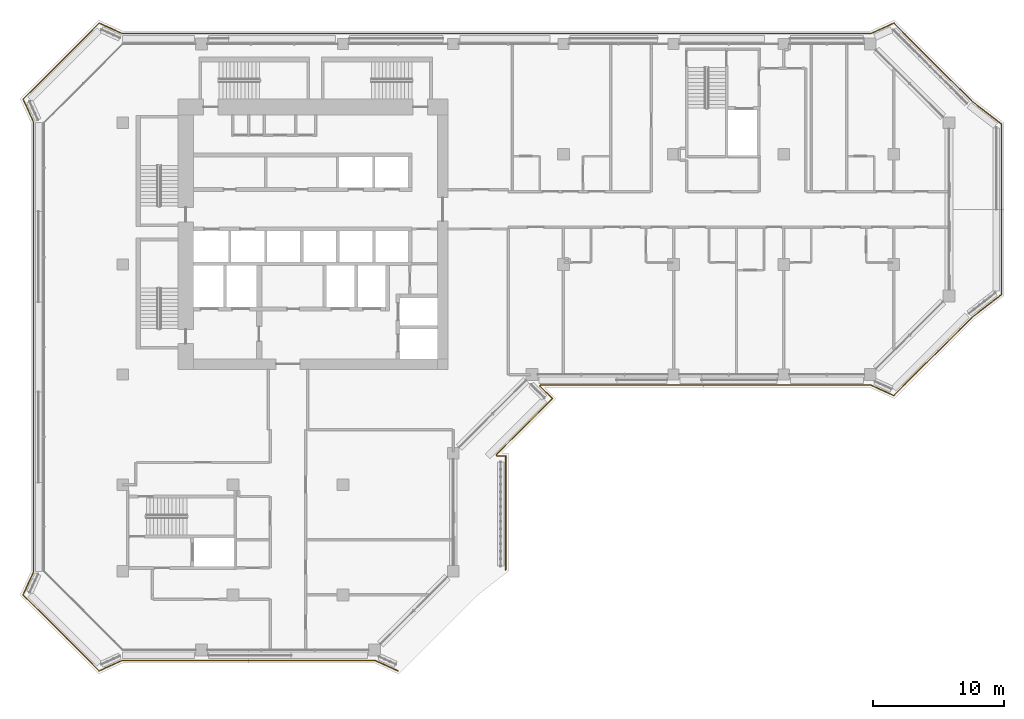
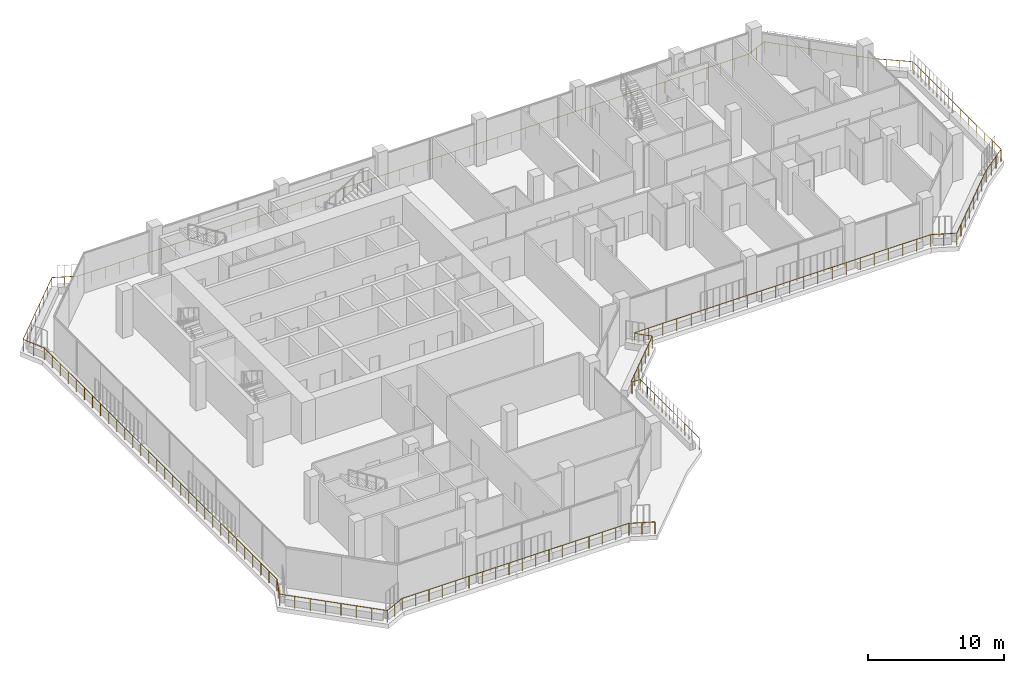
# One storey, part 19 of 23: 1 railing.
"""IFC4 building model written with IfcOpenShell, lengths in metres."""

from ifc_helpers import new_model, si_unit, direction, frame, origin, origin_2d, place, context, subcontext, project, spatial, circle, extrude, material, type_object, element, save


model = new_model("IFC4")

# Units and contexts
model_context = context("Model", 3, precision=1e-05, world=origin(), true_north=direction((0.0, 1.0)))
body_context = subcontext(model_context, "Body", "Model", "MODEL_VIEW")
ifc_project = project(units=[si_unit("LENGTHUNIT", "METRE"), si_unit("AREAUNIT", "SQUARE_METRE"), si_unit("VOLUMEUNIT", "CUBIC_METRE"), si_unit("PLANEANGLEUNIT", "RADIAN"), si_unit("MASSUNIT", "GRAM", prefix="KILO")], contexts=[model_context])

# Site, building, storey
site_placement = place(None, origin())
site = spatial("IfcSite", under=ifc_project, at=site_placement, CompositionType="ELEMENT")
building_placement = place(site_placement, origin())
building = spatial("IfcBuilding", under=site, at=building_placement, Name="Kawkab Arch Medical Tower", CompositionType="ELEMENT")
storey_placement = place(building_placement, frame((0.0, 0.0, 268.39990234375)))
storey = spatial("IfcBuildingStorey", under=building, at=storey_placement, Name="L62", CompositionType="ELEMENT", Elevation=268.39990234375)

# Railing
ifc_material = material(Name="Bronze anodised aluminium guard", Category="aluminium")
railing_type = type_object("IfcRailingType", Name="Loggia and terrace guard 1100", PredefinedType="GUARDRAIL", material=ifc_material)
railing_placement = place(storey_placement, frame((20.9951171875, -47.798095703125, 0.0)))
element("IfcRailing", 1, at=railing_placement, inside=storey, type_object=railing_type, Name="Guard L62.LOG-01.1.1", PredefinedType="GUARDRAIL", context=body_context, shape_type="SweptSolid", body=[
    extrude(circle(Radius=0.02392578125, at=origin_2d()), frame((0.0, 0.0, 1.076171875), z_axis=(-0.910044860056, 0.414509773934, 0.0), x_axis=(-0.414509773934, -0.910044860056, 0.0)), (0.0, 0.0, 1.0), 1.92529296875),
    extrude(circle(Radius=0.02392578125, at=origin_2d()), frame((-1.752197265625, 0.798095703125, 1.076171875), z_axis=(-1.0, 0.0, 0.0), x_axis=(0.0, -1.0, 0.0)), (0.0, 0.0, 1.0), 19.285888671875),
    extrude(circle(Radius=0.02392578125, at=origin_2d()), frame((-21.0380859375, 0.798095703125, 1.076171875), z_axis=(-0.910023069687, -0.414557610759, 0.0), x_axis=(0.414557610759, -0.910023069687, 0.0)), (0.0, 0.0, 1.0), 1.92529296875),
    extrude(circle(Radius=0.02392578125, at=origin_2d()), frame((-22.7900390625, 0.0, 1.076171875), z_axis=(-0.707106781187, 0.707106781187, 0.0), x_axis=(-0.707106781187, -0.707106781187, 0.0)), (0.0, 0.0, 1.0), 8.20654296875),
    extrude(circle(Radius=0.02392578125, at=origin_2d()), frame((-28.593017578125, 5.802978515625, 1.076171875), z_axis=(0.414404752076, 0.910092688388, 0.0), x_axis=(-0.910092688388, 0.414404752076, 0.0)), (0.0, 0.0, 1.0), 1.92529296875),
    extrude(circle(Radius=0.02392578125, at=origin_2d()), frame((-27.795166015625, 7.55517578125, 1.076171875), z_axis=(0.0, 1.0, 0.0), x_axis=(-1.0, 0.0, 0.0)), (0.0, 0.0, 1.0), 34.285888671875),
    extrude(circle(Radius=0.02392578125, at=origin_2d()), frame((-27.795166015625, 41.841064453125, 1.076171875), z_axis=(-0.414452581809, 0.910070907914, 0.0), x_axis=(-0.910070907914, -0.414452581809, 0.0)), (0.0, 0.0, 1.0), 1.925048828125),
    extrude(circle(Radius=0.02392578125, at=origin_2d()), frame((-28.593017578125, 43.593017578125, 1.076171875), z_axis=(0.707106781187, 0.707106781187, 0.0), x_axis=(-0.707106781187, 0.707106781187, 0.0)), (0.0, 0.0, 1.0), 8.20654296875),
    extrude(circle(Radius=0.02392578125, at=origin_2d()), frame((-22.7900390625, 49.39599609375, 1.076171875), z_axis=(0.910070907914, -0.414452581809, 0.0), x_axis=(0.414452581809, 0.910070907914, 0.0)), (0.0, 0.0, 1.0), 1.925048828125),
    extrude(circle(Radius=0.02392578125, at=origin_2d()), frame((-21.0380859375, 48.59814453125, 1.076171875), z_axis=(1.0, 0.0, 0.0), x_axis=(0.0, 1.0, 0.0)), (0.0, 0.0, 1.0), 57.0859375),
    extrude(circle(Radius=0.02392578125, at=origin_2d()), frame((36.0478515625, 48.59814453125, 1.076171875), z_axis=(0.910070907914, 0.414452581809, 0.0), x_axis=(-0.414452581809, 0.910070907914, 0.0)), (0.0, 0.0, 1.0), 1.925048828125),
    extrude(circle(Radius=0.02392578125, at=origin_2d()), frame((37.7998046875, 49.39599609375, 1.076171875), z_axis=(0.707121386154, -0.707092175918, 0.0), x_axis=(0.707092175918, 0.707121386154, 0.0)), (0.0, 0.0, 1.0), 8.358154296875),
    extrude(circle(Radius=0.02392578125, at=origin_2d()), frame((43.7099609375, 43.486083984375, 1.076171875), z_axis=(0.789193964876, -0.614144026922, 0.0), x_axis=(0.614144026922, 0.789193964876, 0.0)), (0.0, 0.0, 1.0), 2.907958984375),
    extrude(circle(Radius=0.02392578125, at=origin_2d()), frame((46.0048828125, 41.7001953125, 1.076171875), z_axis=(0.0, -1.0, 0.0), x_axis=(1.0, 0.0, 0.0)), (0.0, 0.0, 1.0), 13.004150390625),
    extrude(circle(Radius=0.02392578125, at=origin_2d()), frame((46.0048828125, 28.696044921875, 1.076171875), z_axis=(-0.789193964876, -0.614144026922, 0.0), x_axis=(0.614144026922, -0.789193964876, 0.0)), (0.0, 0.0, 1.0), 2.907958984375),
    extrude(circle(Radius=0.02392578125, at=origin_2d()), frame((43.7099609375, 26.91015625, 1.076171875), z_axis=(-0.707106781187, -0.707106781187, 0.0), x_axis=(0.707106781187, -0.707106781187, 0.0)), (0.0, 0.0, 1.0), 8.358154296875),
    extrude(circle(Radius=0.02392578125, at=origin_2d()), frame((37.7998046875, 21.0, 1.076171875), z_axis=(-0.910023069687, 0.414557610759, 0.0), x_axis=(-0.414557610759, -0.910023069687, 0.0)), (0.0, 0.0, 1.0), 1.92529296875),
    extrude(circle(Radius=0.02392578125, at=origin_2d()), frame((36.0478515625, 21.798095703125, 1.076171875), z_axis=(-1.0, 0.0, 0.0), x_axis=(0.0, -1.0, 0.0)), (0.0, 0.0, 1.0), 25.19287109375),
    extrude(circle(Radius=0.02392578125, at=origin_2d()), frame((10.85498046875, 21.798095703125, 1.076171875), z_axis=(-0.383763674343, -0.923431341387, 0.0), x_axis=(0.923431341387, -0.383763674343, 0.0)), (0.0, 0.0, 1.0), 0.101806640625),
    extrude(circle(Radius=0.02392578125, at=origin_2d()), frame((10.81591796875, 21.7041015625, 1.076171875), z_axis=(0.707015335112, -0.707198215437, 0.0), x_axis=(0.707198215437, 0.707015335112, 0.0)), (0.0, 0.0, 1.0), 1.3349609375),
    extrude(circle(Radius=0.02392578125, at=origin_2d()), frame((11.759765625, 20.760009765625, 1.076171875), z_axis=(-0.707025867263, -0.707187685852, 0.0), x_axis=(0.707187685852, -0.707025867263, 0.0)), (0.0, 0.0, 1.0), 6.034912109375),
    extrude(circle(Radius=0.02392578125, at=origin_2d()), frame((7.492919921875, 16.4921875, 1.076171875), z_axis=(0.383763674343, -0.923431341387, 0.0), x_axis=(0.923431341387, 0.383763674343, 0.0)), (0.0, 0.0, 1.0), 0.101806640625),
    extrude(circle(Radius=0.02392578125, at=origin_2d()), frame((7.531982421875, 16.398193359375, 1.076171875), z_axis=(1.0, 0.0, 0.0), x_axis=(0.0, 1.0, 0.0)), (0.0, 0.0, 1.0), 0.6728515625),
    extrude(circle(Radius=0.02392578125, at=origin_2d()), frame((8.204833984375, 16.398193359375, 1.076171875), z_axis=(0.0, -1.0, 0.0), x_axis=(1.0, 0.0, 0.0)), (0.0, 0.0, 1.0), 8.7021484375),
    extrude(circle(Radius=0.02099609375, at=origin_2d()), origin(), (0.0, 0.0, 1.0), 1.052001953125),
    extrude(circle(Radius=0.02099609375, at=origin_2d()), frame((-0.8759765625, 0.39892578125, 0.0)), (0.0, 0.0, 1.0), 1.052001953125),
    extrude(circle(Radius=0.02099609375, at=origin_2d()), frame((-1.752197265625, 0.798095703125, 0.0)), (0.0, 0.0, 1.0), 1.052001953125),
    extrude(circle(Radius=0.02099609375, at=origin_2d()), frame((-2.88671875, 0.798095703125, 0.0)), (0.0, 0.0, 1.0), 1.052001953125),
    extrude(circle(Radius=0.02099609375, at=origin_2d()), frame((-4.021240234375, 0.798095703125, 0.0)), (0.0, 0.0, 1.0), 1.052001953125),
    extrude(circle(Radius=0.02099609375, at=origin_2d()), frame((-5.155517578125, 0.798095703125, 0.0)), (0.0, 0.0, 1.0), 1.052001953125),
    extrude(circle(Radius=0.02099609375, at=origin_2d()), frame((-6.2900390625, 0.798095703125, 0.0)), (0.0, 0.0, 1.0), 1.052001953125),
    extrude(circle(Radius=0.02099609375, at=origin_2d()), frame((-7.424560546875, 0.798095703125, 0.0)), (0.0, 0.0, 1.0), 1.052001953125),
    extrude(circle(Radius=0.02099609375, at=origin_2d()), frame((-8.55908203125, 0.798095703125, 0.0)), (0.0, 0.0, 1.0), 1.052001953125),
    extrude(circle(Radius=0.02099609375, at=origin_2d()), frame((-9.693359375, 0.798095703125, 0.0)), (0.0, 0.0, 1.0), 1.052001953125),
    extrude(circle(Radius=0.02099609375, at=origin_2d()), frame((-10.827880859375, 0.798095703125, 0.0)), (0.0, 0.0, 1.0), 1.052001953125),
    extrude(circle(Radius=0.02099609375, at=origin_2d()), frame((-11.96240234375, 0.798095703125, 0.0)), (0.0, 0.0, 1.0), 1.052001953125),
    extrude(circle(Radius=0.02099609375, at=origin_2d()), frame((-13.096923828125, 0.798095703125, 0.0)), (0.0, 0.0, 1.0), 1.052001953125),
    extrude(circle(Radius=0.02099609375, at=origin_2d()), frame((-14.231201171875, 0.798095703125, 0.0)), (0.0, 0.0, 1.0), 1.052001953125),
    extrude(circle(Radius=0.02099609375, at=origin_2d()), frame((-15.36572265625, 0.798095703125, 0.0)), (0.0, 0.0, 1.0), 1.052001953125),
    extrude(circle(Radius=0.02099609375, at=origin_2d()), frame((-16.500244140625, 0.798095703125, 0.0)), (0.0, 0.0, 1.0), 1.052001953125),
    extrude(circle(Radius=0.02099609375, at=origin_2d()), frame((-17.634765625, 0.798095703125, 0.0)), (0.0, 0.0, 1.0), 1.052001953125),
    extrude(circle(Radius=0.02099609375, at=origin_2d()), frame((-18.76904296875, 0.798095703125, 0.0)), (0.0, 0.0, 1.0), 1.052001953125),
    extrude(circle(Radius=0.02099609375, at=origin_2d()), frame((-19.903564453125, 0.798095703125, 0.0)), (0.0, 0.0, 1.0), 1.052001953125),
    extrude(circle(Radius=0.02099609375, at=origin_2d()), frame((-21.0380859375, 0.798095703125, 0.0)), (0.0, 0.0, 1.0), 1.052001953125),
    extrude(circle(Radius=0.02099609375, at=origin_2d()), frame((-21.9140625, 0.39892578125, 0.0)), (0.0, 0.0, 1.0), 1.052001953125),
    extrude(circle(Radius=0.02099609375, at=origin_2d()), frame((-22.7900390625, 0.0, 0.0)), (0.0, 0.0, 1.0), 1.052001953125),
    extrude(circle(Radius=0.02099609375, at=origin_2d()), frame((-23.619140625, 0.8291015625, 0.0)), (0.0, 0.0, 1.0), 1.052001953125),
    extrude(circle(Radius=0.02099609375, at=origin_2d()), frame((-24.447998046875, 1.657958984375, 0.0)), (0.0, 0.0, 1.0), 1.052001953125),
    extrude(circle(Radius=0.02099609375, at=origin_2d()), frame((-25.277099609375, 2.487060546875, 0.0)), (0.0, 0.0, 1.0), 1.052001953125),
    extrude(circle(Radius=0.02099609375, at=origin_2d()), frame((-26.10595703125, 3.31591796875, 0.0)), (0.0, 0.0, 1.0), 1.052001953125),
    extrude(circle(Radius=0.02099609375, at=origin_2d()), frame((-26.93505859375, 4.14501953125, 0.0)), (0.0, 0.0, 1.0), 1.052001953125),
    extrude(circle(Radius=0.02099609375, at=origin_2d()), frame((-27.763916015625, 4.973876953125, 0.0)), (0.0, 0.0, 1.0), 1.052001953125),
    extrude(circle(Radius=0.02099609375, at=origin_2d()), frame((-28.593017578125, 5.802978515625, 0.0)), (0.0, 0.0, 1.0), 1.052001953125),
    extrude(circle(Radius=0.02099609375, at=origin_2d()), frame((-28.194091796875, 6.67919921875, 0.0)), (0.0, 0.0, 1.0), 1.052001953125),
    extrude(circle(Radius=0.02099609375, at=origin_2d()), frame((-27.795166015625, 7.55517578125, 0.0)), (0.0, 0.0, 1.0), 1.052001953125),
    extrude(circle(Radius=0.02099609375, at=origin_2d()), frame((-27.795166015625, 8.737548828125, 0.0)), (0.0, 0.0, 1.0), 1.052001953125),
    extrude(circle(Radius=0.02099609375, at=origin_2d()), frame((-27.795166015625, 9.919677734375, 0.0)), (0.0, 0.0, 1.0), 1.052001953125),
    extrude(circle(Radius=0.02099609375, at=origin_2d()), frame((-27.795166015625, 11.10205078125, 0.0)), (0.0, 0.0, 1.0), 1.052001953125),
    extrude(circle(Radius=0.02099609375, at=origin_2d()), frame((-27.795166015625, 12.2841796875, 0.0)), (0.0, 0.0, 1.0), 1.052001953125),
    extrude(circle(Radius=0.02099609375, at=origin_2d()), frame((-27.795166015625, 13.466552734375, 0.0)), (0.0, 0.0, 1.0), 1.052001953125),
    extrude(circle(Radius=0.02099609375, at=origin_2d()), frame((-27.795166015625, 14.64892578125, 0.0)), (0.0, 0.0, 1.0), 1.052001953125),
    extrude(circle(Radius=0.02099609375, at=origin_2d()), frame((-27.795166015625, 15.8310546875, 0.0)), (0.0, 0.0, 1.0), 1.052001953125),
    extrude(circle(Radius=0.02099609375, at=origin_2d()), frame((-27.795166015625, 17.013427734375, 0.0)), (0.0, 0.0, 1.0), 1.052001953125),
    extrude(circle(Radius=0.02099609375, at=origin_2d()), frame((-27.795166015625, 18.195556640625, 0.0)), (0.0, 0.0, 1.0), 1.052001953125),
    extrude(circle(Radius=0.02099609375, at=origin_2d()), frame((-27.795166015625, 19.3779296875, 0.0)), (0.0, 0.0, 1.0), 1.052001953125),
    extrude(circle(Radius=0.02099609375, at=origin_2d()), frame((-27.795166015625, 20.56005859375, 0.0)), (0.0, 0.0, 1.0), 1.052001953125),
    extrude(circle(Radius=0.02099609375, at=origin_2d()), frame((-27.795166015625, 21.742431640625, 0.0)), (0.0, 0.0, 1.0), 1.052001953125),
    extrude(circle(Radius=0.02099609375, at=origin_2d()), frame((-27.795166015625, 22.9248046875, 0.0)), (0.0, 0.0, 1.0), 1.052001953125),
    extrude(circle(Radius=0.02099609375, at=origin_2d()), frame((-27.795166015625, 24.10693359375, 0.0)), (0.0, 0.0, 1.0), 1.052001953125),
    extrude(circle(Radius=0.02099609375, at=origin_2d()), frame((-27.795166015625, 25.289306640625, 0.0)), (0.0, 0.0, 1.0), 1.052001953125),
    extrude(circle(Radius=0.02099609375, at=origin_2d()), frame((-27.795166015625, 26.471435546875, 0.0)), (0.0, 0.0, 1.0), 1.052001953125),
    extrude(circle(Radius=0.02099609375, at=origin_2d()), frame((-27.795166015625, 27.65380859375, 0.0)), (0.0, 0.0, 1.0), 1.052001953125),
    extrude(circle(Radius=0.02099609375, at=origin_2d()), frame((-27.795166015625, 28.836181640625, 0.0)), (0.0, 0.0, 1.0), 1.052001953125),
    extrude(circle(Radius=0.02099609375, at=origin_2d()), frame((-27.795166015625, 30.018310546875, 0.0)), (0.0, 0.0, 1.0), 1.052001953125),
    extrude(circle(Radius=0.02099609375, at=origin_2d()), frame((-27.795166015625, 31.20068359375, 0.0)), (0.0, 0.0, 1.0), 1.052001953125),
    extrude(circle(Radius=0.02099609375, at=origin_2d()), frame((-27.795166015625, 32.3828125, 0.0)), (0.0, 0.0, 1.0), 1.052001953125),
    extrude(circle(Radius=0.02099609375, at=origin_2d()), frame((-27.795166015625, 33.565185546875, 0.0)), (0.0, 0.0, 1.0), 1.052001953125),
    extrude(circle(Radius=0.02099609375, at=origin_2d()), frame((-27.795166015625, 34.747314453125, 0.0)), (0.0, 0.0, 1.0), 1.052001953125),
    extrude(circle(Radius=0.02099609375, at=origin_2d()), frame((-27.795166015625, 35.9296875, 0.0)), (0.0, 0.0, 1.0), 1.052001953125),
    extrude(circle(Radius=0.02099609375, at=origin_2d()), frame((-27.795166015625, 37.112060546875, 0.0)), (0.0, 0.0, 1.0), 1.052001953125),
    extrude(circle(Radius=0.02099609375, at=origin_2d()), frame((-27.795166015625, 38.294189453125, 0.0)), (0.0, 0.0, 1.0), 1.052001953125),
    extrude(circle(Radius=0.02099609375, at=origin_2d()), frame((-27.795166015625, 39.4765625, 0.0)), (0.0, 0.0, 1.0), 1.052001953125),
    extrude(circle(Radius=0.02099609375, at=origin_2d()), frame((-27.795166015625, 40.65869140625, 0.0)), (0.0, 0.0, 1.0), 1.052001953125),
    extrude(circle(Radius=0.02099609375, at=origin_2d()), frame((-27.795166015625, 41.841064453125, 0.0)), (0.0, 0.0, 1.0), 1.052001953125),
    extrude(circle(Radius=0.02099609375, at=origin_2d()), frame((-28.194091796875, 42.717041015625, 0.0)), (0.0, 0.0, 1.0), 1.052001953125),
    extrude(circle(Radius=0.02099609375, at=origin_2d()), frame((-28.593017578125, 43.593017578125, 0.0)), (0.0, 0.0, 1.0), 1.052001953125),
    extrude(circle(Radius=0.02099609375, at=origin_2d()), frame((-27.763916015625, 44.422119140625, 0.0)), (0.0, 0.0, 1.0), 1.052001953125),
    extrude(circle(Radius=0.02099609375, at=origin_2d()), frame((-26.93505859375, 45.2509765625, 0.0)), (0.0, 0.0, 1.0), 1.052001953125),
    extrude(circle(Radius=0.02099609375, at=origin_2d()), frame((-26.10595703125, 46.080078125, 0.0)), (0.0, 0.0, 1.0), 1.052001953125),
    extrude(circle(Radius=0.02099609375, at=origin_2d()), frame((-25.277099609375, 46.908935546875, 0.0)), (0.0, 0.0, 1.0), 1.052001953125),
    extrude(circle(Radius=0.02099609375, at=origin_2d()), frame((-24.447998046875, 47.738037109375, 0.0)), (0.0, 0.0, 1.0), 1.052001953125),
    extrude(circle(Radius=0.02099609375, at=origin_2d()), frame((-23.619140625, 48.56689453125, 0.0)), (0.0, 0.0, 1.0), 1.052001953125),
    extrude(circle(Radius=0.02099609375, at=origin_2d()), frame((-22.7900390625, 49.39599609375, 0.0)), (0.0, 0.0, 1.0), 1.052001953125),
    extrude(circle(Radius=0.02099609375, at=origin_2d()), frame((-21.9140625, 48.9970703125, 0.0)), (0.0, 0.0, 1.0), 1.052001953125),
    extrude(circle(Radius=0.02099609375, at=origin_2d()), frame((-21.0380859375, 48.59814453125, 0.0)), (0.0, 0.0, 1.0), 1.052001953125),
    extrude(circle(Radius=0.02099609375, at=origin_2d()), frame((-19.848876953125, 48.59814453125, 0.0)), (0.0, 0.0, 1.0), 1.052001953125),
    extrude(circle(Radius=0.02099609375, at=origin_2d()), frame((-18.659423828125, 48.59814453125, 0.0)), (0.0, 0.0, 1.0), 1.052001953125),
    extrude(circle(Radius=0.02099609375, at=origin_2d()), frame((-17.47021484375, 48.59814453125, 0.0)), (0.0, 0.0, 1.0), 1.052001953125),
    extrude(circle(Radius=0.02099609375, at=origin_2d()), frame((-16.281005859375, 48.59814453125, 0.0)), (0.0, 0.0, 1.0), 1.052001953125),
    extrude(circle(Radius=0.02099609375, at=origin_2d()), frame((-15.091552734375, 48.59814453125, 0.0)), (0.0, 0.0, 1.0), 1.052001953125),
    extrude(circle(Radius=0.02099609375, at=origin_2d()), frame((-13.90234375, 48.59814453125, 0.0)), (0.0, 0.0, 1.0), 1.052001953125),
    extrude(circle(Radius=0.02099609375, at=origin_2d()), frame((-12.713134765625, 48.59814453125, 0.0)), (0.0, 0.0, 1.0), 1.052001953125),
    extrude(circle(Radius=0.02099609375, at=origin_2d()), frame((-11.523681640625, 48.59814453125, 0.0)), (0.0, 0.0, 1.0), 1.052001953125),
    extrude(circle(Radius=0.02099609375, at=origin_2d()), frame((-10.33447265625, 48.59814453125, 0.0)), (0.0, 0.0, 1.0), 1.052001953125),
    extrude(circle(Radius=0.02099609375, at=origin_2d()), frame((-9.145263671875, 48.59814453125, 0.0)), (0.0, 0.0, 1.0), 1.052001953125),
    extrude(circle(Radius=0.02099609375, at=origin_2d()), frame((-7.955810546875, 48.59814453125, 0.0)), (0.0, 0.0, 1.0), 1.052001953125),
    extrude(circle(Radius=0.02099609375, at=origin_2d()), frame((-6.7666015625, 48.59814453125, 0.0)), (0.0, 0.0, 1.0), 1.052001953125),
    extrude(circle(Radius=0.02099609375, at=origin_2d()), frame((-5.577392578125, 48.59814453125, 0.0)), (0.0, 0.0, 1.0), 1.052001953125),
    extrude(circle(Radius=0.02099609375, at=origin_2d()), frame((-4.387939453125, 48.59814453125, 0.0)), (0.0, 0.0, 1.0), 1.052001953125),
    extrude(circle(Radius=0.02099609375, at=origin_2d()), frame((-3.19873046875, 48.59814453125, 0.0)), (0.0, 0.0, 1.0), 1.052001953125),
    extrude(circle(Radius=0.02099609375, at=origin_2d()), frame((-2.009521484375, 48.59814453125, 0.0)), (0.0, 0.0, 1.0), 1.052001953125),
    extrude(circle(Radius=0.02099609375, at=origin_2d()), frame((-0.820068359375, 48.59814453125, 0.0)), (0.0, 0.0, 1.0), 1.052001953125),
    extrude(circle(Radius=0.02099609375, at=origin_2d()), frame((0.369140625, 48.59814453125, 0.0)), (0.0, 0.0, 1.0), 1.052001953125),
    extrude(circle(Radius=0.02099609375, at=origin_2d()), frame((1.558349609375, 48.59814453125, 0.0)), (0.0, 0.0, 1.0), 1.052001953125),
    extrude(circle(Radius=0.02099609375, at=origin_2d()), frame((2.747802734375, 48.59814453125, 0.0)), (0.0, 0.0, 1.0), 1.052001953125),
    extrude(circle(Radius=0.02099609375, at=origin_2d()), frame((3.93701171875, 48.59814453125, 0.0)), (0.0, 0.0, 1.0), 1.052001953125),
    extrude(circle(Radius=0.02099609375, at=origin_2d()), frame((5.126220703125, 48.59814453125, 0.0)), (0.0, 0.0, 1.0), 1.052001953125),
    extrude(circle(Radius=0.02099609375, at=origin_2d()), frame((6.315673828125, 48.59814453125, 0.0)), (0.0, 0.0, 1.0), 1.052001953125),
    extrude(circle(Radius=0.02099609375, at=origin_2d()), frame((7.5048828125, 48.59814453125, 0.0)), (0.0, 0.0, 1.0), 1.052001953125),
    extrude(circle(Radius=0.02099609375, at=origin_2d()), frame((8.694091796875, 48.59814453125, 0.0)), (0.0, 0.0, 1.0), 1.052001953125),
    extrude(circle(Radius=0.02099609375, at=origin_2d()), frame((9.883544921875, 48.59814453125, 0.0)), (0.0, 0.0, 1.0), 1.052001953125),
    extrude(circle(Radius=0.02099609375, at=origin_2d()), frame((11.07275390625, 48.59814453125, 0.0)), (0.0, 0.0, 1.0), 1.052001953125),
    extrude(circle(Radius=0.02099609375, at=origin_2d()), frame((12.261962890625, 48.59814453125, 0.0)), (0.0, 0.0, 1.0), 1.052001953125),
    extrude(circle(Radius=0.02099609375, at=origin_2d()), frame((13.451416015625, 48.59814453125, 0.0)), (0.0, 0.0, 1.0), 1.052001953125),
    extrude(circle(Radius=0.02099609375, at=origin_2d()), frame((14.640625, 48.59814453125, 0.0)), (0.0, 0.0, 1.0), 1.052001953125),
    extrude(circle(Radius=0.02099609375, at=origin_2d()), frame((15.829833984375, 48.59814453125, 0.0)), (0.0, 0.0, 1.0), 1.052001953125),
    extrude(circle(Radius=0.02099609375, at=origin_2d()), frame((17.019287109375, 48.59814453125, 0.0)), (0.0, 0.0, 1.0), 1.052001953125),
    extrude(circle(Radius=0.02099609375, at=origin_2d()), frame((18.20849609375, 48.59814453125, 0.0)), (0.0, 0.0, 1.0), 1.052001953125),
    extrude(circle(Radius=0.02099609375, at=origin_2d()), frame((19.397705078125, 48.59814453125, 0.0)), (0.0, 0.0, 1.0), 1.052001953125),
    extrude(circle(Radius=0.02099609375, at=origin_2d()), frame((20.587158203125, 48.59814453125, 0.0)), (0.0, 0.0, 1.0), 1.052001953125),
    extrude(circle(Radius=0.02099609375, at=origin_2d()), frame((21.7763671875, 48.59814453125, 0.0)), (0.0, 0.0, 1.0), 1.052001953125),
    extrude(circle(Radius=0.02099609375, at=origin_2d()), frame((22.965576171875, 48.59814453125, 0.0)), (0.0, 0.0, 1.0), 1.052001953125),
    extrude(circle(Radius=0.02099609375, at=origin_2d()), frame((24.155029296875, 48.59814453125, 0.0)), (0.0, 0.0, 1.0), 1.052001953125),
    extrude(circle(Radius=0.02099609375, at=origin_2d()), frame((25.34423828125, 48.59814453125, 0.0)), (0.0, 0.0, 1.0), 1.052001953125),
    extrude(circle(Radius=0.02099609375, at=origin_2d()), frame((26.533447265625, 48.59814453125, 0.0)), (0.0, 0.0, 1.0), 1.052001953125),
    extrude(circle(Radius=0.02099609375, at=origin_2d()), frame((27.722900390625, 48.59814453125, 0.0)), (0.0, 0.0, 1.0), 1.052001953125),
    extrude(circle(Radius=0.02099609375, at=origin_2d()), frame((28.912109375, 48.59814453125, 0.0)), (0.0, 0.0, 1.0), 1.052001953125),
    extrude(circle(Radius=0.02099609375, at=origin_2d()), frame((30.101318359375, 48.59814453125, 0.0)), (0.0, 0.0, 1.0), 1.052001953125),
    extrude(circle(Radius=0.02099609375, at=origin_2d()), frame((31.290771484375, 48.59814453125, 0.0)), (0.0, 0.0, 1.0), 1.052001953125),
    extrude(circle(Radius=0.02099609375, at=origin_2d()), frame((32.47998046875, 48.59814453125, 0.0)), (0.0, 0.0, 1.0), 1.052001953125),
    extrude(circle(Radius=0.02099609375, at=origin_2d()), frame((33.669189453125, 48.59814453125, 0.0)), (0.0, 0.0, 1.0), 1.052001953125),
    extrude(circle(Radius=0.02099609375, at=origin_2d()), frame((34.858642578125, 48.59814453125, 0.0)), (0.0, 0.0, 1.0), 1.052001953125),
    extrude(circle(Radius=0.02099609375, at=origin_2d()), frame((36.0478515625, 48.59814453125, 0.0)), (0.0, 0.0, 1.0), 1.052001953125),
    extrude(circle(Radius=0.02099609375, at=origin_2d()), frame((36.923828125, 48.9970703125, 0.0)), (0.0, 0.0, 1.0), 1.052001953125),
    extrude(circle(Radius=0.02099609375, at=origin_2d()), frame((37.7998046875, 49.39599609375, 0.0)), (0.0, 0.0, 1.0), 1.052001953125),
    extrude(circle(Radius=0.02099609375, at=origin_2d()), frame((38.64404296875, 48.5517578125, 0.0)), (0.0, 0.0, 1.0), 1.052001953125),
    extrude(circle(Radius=0.02099609375, at=origin_2d()), frame((39.488525390625, 47.70751953125, 0.0)), (0.0, 0.0, 1.0), 1.052001953125),
    extrude(circle(Radius=0.02099609375, at=origin_2d()), frame((40.332763671875, 46.86328125, 0.0)), (0.0, 0.0, 1.0), 1.052001953125),
    extrude(circle(Radius=0.02099609375, at=origin_2d()), frame((41.177001953125, 46.018798828125, 0.0)), (0.0, 0.0, 1.0), 1.052001953125),
    extrude(circle(Radius=0.02099609375, at=origin_2d()), frame((42.021240234375, 45.174560546875, 0.0)), (0.0, 0.0, 1.0), 1.052001953125),
    extrude(circle(Radius=0.02099609375, at=origin_2d()), frame((42.86572265625, 44.330322265625, 0.0)), (0.0, 0.0, 1.0), 1.052001953125),
    extrude(circle(Radius=0.02099609375, at=origin_2d()), frame((43.7099609375, 43.486083984375, 0.0)), (0.0, 0.0, 1.0), 1.052001953125),
    extrude(circle(Radius=0.02099609375, at=origin_2d()), frame((44.474853515625, 42.890869140625, 0.0)), (0.0, 0.0, 1.0), 1.052001953125),
    extrude(circle(Radius=0.02099609375, at=origin_2d()), frame((45.239990234375, 42.29541015625, 0.0)), (0.0, 0.0, 1.0), 1.052001953125),
    extrude(circle(Radius=0.02099609375, at=origin_2d()), frame((46.0048828125, 41.7001953125, 0.0)), (0.0, 0.0, 1.0), 1.052001953125),
    extrude(circle(Radius=0.02099609375, at=origin_2d()), frame((46.0048828125, 40.51806640625, 0.0)), (0.0, 0.0, 1.0), 1.052001953125),
    extrude(circle(Radius=0.02099609375, at=origin_2d()), frame((46.0048828125, 39.335693359375, 0.0)), (0.0, 0.0, 1.0), 1.052001953125),
    extrude(circle(Radius=0.02099609375, at=origin_2d()), frame((46.0048828125, 38.153564453125, 0.0)), (0.0, 0.0, 1.0), 1.052001953125),
    extrude(circle(Radius=0.02099609375, at=origin_2d()), frame((46.0048828125, 36.971435546875, 0.0)), (0.0, 0.0, 1.0), 1.052001953125),
    extrude(circle(Radius=0.02099609375, at=origin_2d()), frame((46.0048828125, 35.789306640625, 0.0)), (0.0, 0.0, 1.0), 1.052001953125),
    extrude(circle(Radius=0.02099609375, at=origin_2d()), frame((46.0048828125, 34.60693359375, 0.0)), (0.0, 0.0, 1.0), 1.052001953125),
    extrude(circle(Radius=0.02099609375, at=origin_2d()), frame((46.0048828125, 33.4248046875, 0.0)), (0.0, 0.0, 1.0), 1.052001953125),
    extrude(circle(Radius=0.02099609375, at=origin_2d()), frame((46.0048828125, 32.24267578125, 0.0)), (0.0, 0.0, 1.0), 1.052001953125),
    extrude(circle(Radius=0.02099609375, at=origin_2d()), frame((46.0048828125, 31.060546875, 0.0)), (0.0, 0.0, 1.0), 1.052001953125),
    extrude(circle(Radius=0.02099609375, at=origin_2d()), frame((46.0048828125, 29.878173828125, 0.0)), (0.0, 0.0, 1.0), 1.052001953125),
    extrude(circle(Radius=0.02099609375, at=origin_2d()), frame((46.0048828125, 28.696044921875, 0.0)), (0.0, 0.0, 1.0), 1.052001953125),
    extrude(circle(Radius=0.02099609375, at=origin_2d()), frame((45.239990234375, 28.100830078125, 0.0)), (0.0, 0.0, 1.0), 1.052001953125),
    extrude(circle(Radius=0.02099609375, at=origin_2d()), frame((44.474853515625, 27.50537109375, 0.0)), (0.0, 0.0, 1.0), 1.052001953125),
    extrude(circle(Radius=0.02099609375, at=origin_2d()), frame((43.7099609375, 26.91015625, 0.0)), (0.0, 0.0, 1.0), 1.052001953125),
    extrude(circle(Radius=0.02099609375, at=origin_2d()), frame((42.86572265625, 26.06591796875, 0.0)), (0.0, 0.0, 1.0), 1.052001953125),
    extrude(circle(Radius=0.02099609375, at=origin_2d()), frame((42.021240234375, 25.221435546875, 0.0)), (0.0, 0.0, 1.0), 1.052001953125),
    extrude(circle(Radius=0.02099609375, at=origin_2d()), frame((41.177001953125, 24.377197265625, 0.0)), (0.0, 0.0, 1.0), 1.052001953125),
    extrude(circle(Radius=0.02099609375, at=origin_2d()), frame((40.332763671875, 23.532958984375, 0.0)), (0.0, 0.0, 1.0), 1.052001953125),
    extrude(circle(Radius=0.02099609375, at=origin_2d()), frame((39.488525390625, 22.688720703125, 0.0)), (0.0, 0.0, 1.0), 1.052001953125),
    extrude(circle(Radius=0.02099609375, at=origin_2d()), frame((38.64404296875, 21.84423828125, 0.0)), (0.0, 0.0, 1.0), 1.052001953125),
    extrude(circle(Radius=0.02099609375, at=origin_2d()), frame((37.7998046875, 21.0, 0.0)), (0.0, 0.0, 1.0), 1.052001953125),
    extrude(circle(Radius=0.02099609375, at=origin_2d()), frame((36.923828125, 21.39892578125, 0.0)), (0.0, 0.0, 1.0), 1.052001953125),
    extrude(circle(Radius=0.02099609375, at=origin_2d()), frame((36.0478515625, 21.798095703125, 0.0)), (0.0, 0.0, 1.0), 1.052001953125),
    extrude(circle(Radius=0.02099609375, at=origin_2d()), frame((34.84814453125, 21.798095703125, 0.0)), (0.0, 0.0, 1.0), 1.052001953125),
    extrude(circle(Radius=0.02099609375, at=origin_2d()), frame((33.6484375, 21.798095703125, 0.0)), (0.0, 0.0, 1.0), 1.052001953125),
    extrude(circle(Radius=0.02099609375, at=origin_2d()), frame((32.448974609375, 21.798095703125, 0.0)), (0.0, 0.0, 1.0), 1.052001953125),
    extrude(circle(Radius=0.02099609375, at=origin_2d()), frame((31.249267578125, 21.798095703125, 0.0)), (0.0, 0.0, 1.0), 1.052001953125),
    extrude(circle(Radius=0.02099609375, at=origin_2d()), frame((30.049560546875, 21.798095703125, 0.0)), (0.0, 0.0, 1.0), 1.052001953125),
    extrude(circle(Radius=0.02099609375, at=origin_2d()), frame((28.849853515625, 21.798095703125, 0.0)), (0.0, 0.0, 1.0), 1.052001953125),
    extrude(circle(Radius=0.02099609375, at=origin_2d()), frame((27.650146484375, 21.798095703125, 0.0)), (0.0, 0.0, 1.0), 1.052001953125),
    extrude(circle(Radius=0.02099609375, at=origin_2d()), frame((26.45068359375, 21.798095703125, 0.0)), (0.0, 0.0, 1.0), 1.052001953125),
    extrude(circle(Radius=0.02099609375, at=origin_2d()), frame((25.2509765625, 21.798095703125, 0.0)), (0.0, 0.0, 1.0), 1.052001953125),
    extrude(circle(Radius=0.02099609375, at=origin_2d()), frame((24.05126953125, 21.798095703125, 0.0)), (0.0, 0.0, 1.0), 1.052001953125),
    extrude(circle(Radius=0.02099609375, at=origin_2d()), frame((22.8515625, 21.798095703125, 0.0)), (0.0, 0.0, 1.0), 1.052001953125),
    extrude(circle(Radius=0.02099609375, at=origin_2d()), frame((21.65185546875, 21.798095703125, 0.0)), (0.0, 0.0, 1.0), 1.052001953125),
    extrude(circle(Radius=0.02099609375, at=origin_2d()), frame((20.4521484375, 21.798095703125, 0.0)), (0.0, 0.0, 1.0), 1.052001953125),
    extrude(circle(Radius=0.02099609375, at=origin_2d()), frame((19.252685546875, 21.798095703125, 0.0)), (0.0, 0.0, 1.0), 1.052001953125),
    extrude(circle(Radius=0.02099609375, at=origin_2d()), frame((18.052978515625, 21.798095703125, 0.0)), (0.0, 0.0, 1.0), 1.052001953125),
    extrude(circle(Radius=0.02099609375, at=origin_2d()), frame((16.853271484375, 21.798095703125, 0.0)), (0.0, 0.0, 1.0), 1.052001953125),
    extrude(circle(Radius=0.02099609375, at=origin_2d()), frame((15.653564453125, 21.798095703125, 0.0)), (0.0, 0.0, 1.0), 1.052001953125),
    extrude(circle(Radius=0.02099609375, at=origin_2d()), frame((14.453857421875, 21.798095703125, 0.0)), (0.0, 0.0, 1.0), 1.052001953125),
    extrude(circle(Radius=0.02099609375, at=origin_2d()), frame((13.25439453125, 21.798095703125, 0.0)), (0.0, 0.0, 1.0), 1.052001953125),
    extrude(circle(Radius=0.02099609375, at=origin_2d()), frame((12.0546875, 21.798095703125, 0.0)), (0.0, 0.0, 1.0), 1.052001953125),
    extrude(circle(Radius=0.02099609375, at=origin_2d()), frame((10.85498046875, 21.798095703125, 0.0)), (0.0, 0.0, 1.0), 1.052001953125),
    extrude(circle(Radius=0.02099609375, at=origin_2d()), frame((10.81591796875, 21.7041015625, 0.0)), (0.0, 0.0, 1.0), 1.052001953125),
    extrude(circle(Radius=0.02099609375, at=origin_2d()), frame((11.287841796875, 21.23193359375, 0.0)), (0.0, 0.0, 1.0), 1.052001953125),
    extrude(circle(Radius=0.02099609375, at=origin_2d()), frame((11.759765625, 20.760009765625, 0.0)), (0.0, 0.0, 1.0), 1.052001953125),
    extrude(circle(Radius=0.02099609375, at=origin_2d()), frame((11.048583984375, 20.048828125, 0.0)), (0.0, 0.0, 1.0), 1.052001953125),
    extrude(circle(Radius=0.02099609375, at=origin_2d()), frame((10.33740234375, 19.33740234375, 0.0)), (0.0, 0.0, 1.0), 1.052001953125),
    extrude(circle(Radius=0.02099609375, at=origin_2d()), frame((9.62646484375, 18.6259765625, 0.0)), (0.0, 0.0, 1.0), 1.052001953125),
    extrude(circle(Radius=0.02099609375, at=origin_2d()), frame((8.915283203125, 17.914794921875, 0.0)), (0.0, 0.0, 1.0), 1.052001953125),
    extrude(circle(Radius=0.02099609375, at=origin_2d()), frame((8.2041015625, 17.20361328125, 0.0)), (0.0, 0.0, 1.0), 1.052001953125),
    extrude(circle(Radius=0.02099609375, at=origin_2d()), frame((7.492919921875, 16.4921875, 0.0)), (0.0, 0.0, 1.0), 1.052001953125),
    extrude(circle(Radius=0.02099609375, at=origin_2d()), frame((7.531982421875, 16.398193359375, 0.0)), (0.0, 0.0, 1.0), 1.052001953125),
    extrude(circle(Radius=0.02099609375, at=origin_2d()), frame((8.204833984375, 16.398193359375, 0.0)), (0.0, 0.0, 1.0), 1.052001953125),
    extrude(circle(Radius=0.02099609375, at=origin_2d()), frame((8.204833984375, 15.310546875, 0.0)), (0.0, 0.0, 1.0), 1.052001953125),
    extrude(circle(Radius=0.02099609375, at=origin_2d()), frame((8.204833984375, 14.22265625, 0.0)), (0.0, 0.0, 1.0), 1.052001953125),
    extrude(circle(Radius=0.02099609375, at=origin_2d()), frame((8.204833984375, 13.134765625, 0.0)), (0.0, 0.0, 1.0), 1.052001953125),
    extrude(circle(Radius=0.02099609375, at=origin_2d()), frame((8.204833984375, 12.047119140625, 0.0)), (0.0, 0.0, 1.0), 1.052001953125),
    extrude(circle(Radius=0.02099609375, at=origin_2d()), frame((8.204833984375, 10.95947265625, 0.0)), (0.0, 0.0, 1.0), 1.052001953125),
    extrude(circle(Radius=0.02099609375, at=origin_2d()), frame((8.204833984375, 9.87158203125, 0.0)), (0.0, 0.0, 1.0), 1.052001953125),
    extrude(circle(Radius=0.02099609375, at=origin_2d()), frame((8.204833984375, 8.78369140625, 0.0)), (0.0, 0.0, 1.0), 1.052001953125),
    extrude(circle(Radius=0.02099609375, at=origin_2d()), frame((8.204833984375, 7.696044921875, 0.0)), (0.0, 0.0, 1.0), 1.052001953125),
])

save(model, "model.ifc")
